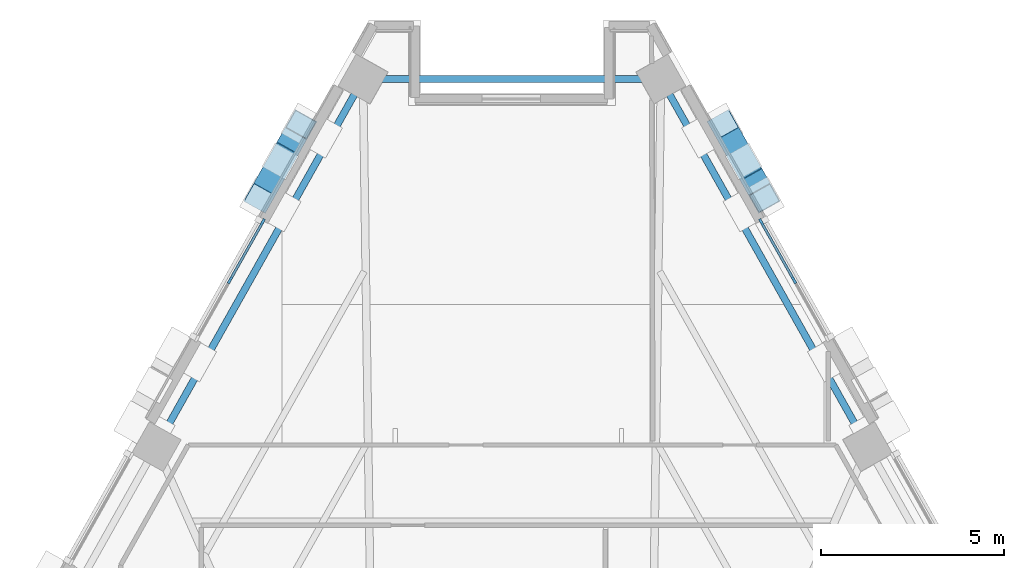
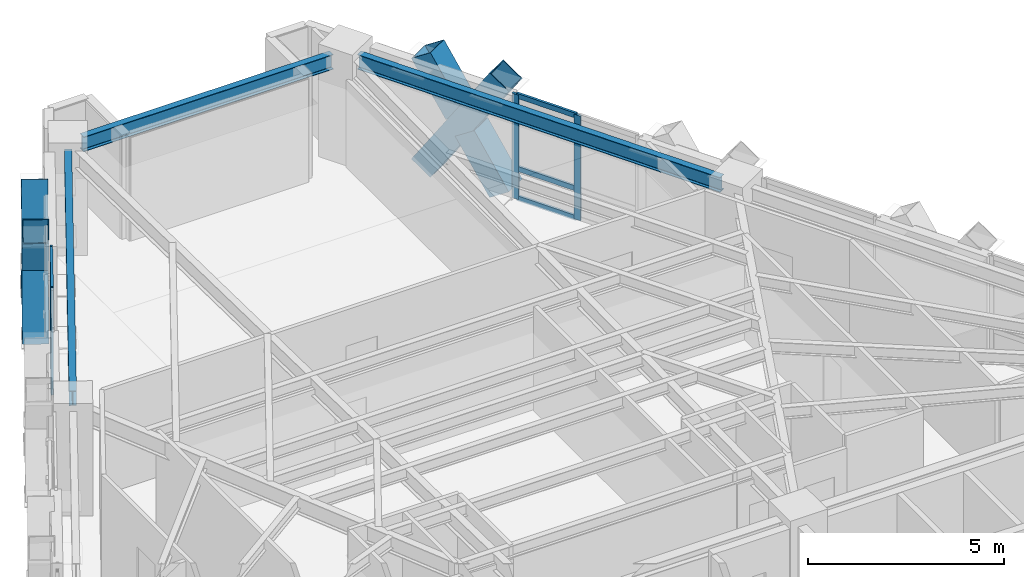
# One storey, part 5 of 14: 16 members, 3 beams, 2 elements without a shape of their own.
"""IFC4 building model written with IfcOpenShell, lengths in metres."""

from ifc_helpers import new_model, si_unit, direction, frame, origin, origin_2d, place, context, subcontext, project, spatial, rectangle, hollow_rectangle, i_section, extrude, material, material_profile, profile_set, type_object, element, aggregate, save


model = new_model("IFC4")

# Units and contexts
model_context = context("Model", 3, precision=1e-05, world=origin(), true_north=direction((0.0, 1.0)))
body_context = subcontext(model_context, "Body", "Model", "MODEL_VIEW")
ifc_project = project(units=[si_unit("LENGTHUNIT", "METRE"), si_unit("AREAUNIT", "SQUARE_METRE"), si_unit("VOLUMEUNIT", "CUBIC_METRE"), si_unit("PLANEANGLEUNIT", "RADIAN"), si_unit("MASSUNIT", "GRAM", prefix="KILO")], contexts=[model_context])

# Site, building, storey
site_placement = place(None, origin())
site = spatial("IfcSite", under=ifc_project, at=site_placement, CompositionType="ELEMENT")
building_placement = place(site_placement, origin())
building = spatial("IfcBuilding", under=site, at=building_placement, Name="Quenlor Broadcast Tower", CompositionType="ELEMENT")
storey_placement = place(building_placement, frame((0.0, 0.0, 154.5)))
storey = spatial("IfcBuildingStorey", under=building, at=storey_placement, Name="L42", CompositionType="ELEMENT", Elevation=154.5)

# Curtain wall, members
ifc_material_1 = material(Name="Architectural Terracotta and Low-E Glazing", Category="masonry")
curtain_wall_type = type_object("IfcCurtainWallType", Name="Unitised Terracotta Curtain Wall System Z3", PredefinedType="NOTDEFINED", material=ifc_material_1)
curtain_wall_1_placement = place(storey_placement, origin())
curtain_wall_1 = element("IfcCurtainWall", 1, at=curtain_wall_1_placement, inside=storey, type_object=curtain_wall_type, Name="L42 Curtain Wall CW3 (L42-NEA-G1)", PredefinedType="NOTDEFINED")
ifc_material_2 = material(Name="Aluminium 6063-T6", Category="aluminium")
ifc_material_profile_1 = material_profile(ifc_material_2, rectangle(XDim=0.070068359375, YDim=0.18994140625, at=origin_2d()))
ifc_profile_set_1 = profile_set([ifc_material_profile_1], Name="Aluminium 6063-T6 MULL70x190")
member_type_1 = type_object("IfcMemberType", Name="CW3 Aluminium Mullion MULL_CW3", PredefinedType="MULLION", material=ifc_profile_set_1)
member_1_placement = place(storey_placement, frame((6.8271484375, 14.90576171875, 0.0), z_axis=(0.0, 0.0, 1.0), x_axis=(0.871570530637, 0.490270139949, 0.0)))
member_1 = element("IfcMember", 2, at=member_1_placement, type_object=member_type_1, Name="CW3 mullion 1", PredefinedType="MULLION", context=body_context, shape_type="SweptSolid", body=[
    extrude(rectangle(XDim=0.070068359375, YDim=0.18994140625, at=origin_2d()), origin(), (0.0, 0.0, 1.0), 3.25),
])
member_2_placement = place(storey_placement, frame((7.725341796875, 13.30908203125, 0.0), z_axis=(0.0, 0.0, 1.0), x_axis=(0.871570530637, 0.490270139949, 0.0)))
member_2 = element("IfcMember", 3, at=member_2_placement, type_object=member_type_1, Name="CW3 mullion 2", PredefinedType="MULLION", context=body_context, shape_type="SweptSolid", body=[
    extrude(rectangle(XDim=0.070068359375, YDim=0.18994140625, at=origin_2d()), origin(), (0.0, 0.0, 1.0), 3.25),
])

curtain_wall_2_placement = place(storey_placement, origin())
curtain_wall_2 = element("IfcCurtainWall", 4, at=curtain_wall_2_placement, inside=storey, type_object=curtain_wall_type, Name="L42 Curtain Wall CW3 (L42-NWC-G1)", PredefinedType="NOTDEFINED")
member_3_placement = place(storey_placement, frame((-7.725341796875, 13.30908203125, 0.0), z_axis=(0.0, 0.0, 1.0), x_axis=(-0.871570530637, 0.490270139949, 0.0)))
member_3 = element("IfcMember", 5, at=member_3_placement, type_object=member_type_1, Name="CW3 mullion 2", PredefinedType="MULLION", context=body_context, shape_type="SweptSolid", body=[
    extrude(rectangle(XDim=0.070068359375, YDim=0.18994140625, at=origin_2d()), origin(), (0.0, 0.0, 1.0), 3.25),
])
member_4_placement = place(storey_placement, frame((-6.8271484375, 14.90576171875, 0.0), z_axis=(0.0, 0.0, 1.0), x_axis=(-0.871570530637, 0.490270139949, 0.0)))
member_4 = element("IfcMember", 6, at=member_4_placement, type_object=member_type_1, Name="CW3 mullion 3", PredefinedType="MULLION", context=body_context, shape_type="SweptSolid", body=[
    extrude(rectangle(XDim=0.070068359375, YDim=0.18994140625, at=origin_2d()), origin(), (0.0, 0.0, 1.0), 3.25),
])

# Member
ifc_material_3 = material(Name="Aluminium 6063-T6", Category="aluminium")
ifc_material_profile_2 = material_profile(ifc_material_3, rectangle(XDim=0.070068359375, YDim=0.155029296875, at=origin_2d()))
ifc_profile_set_2 = profile_set([ifc_material_profile_2], Name="Aluminium 6063-T6 TRAN70x155")
member_type_2 = type_object("IfcMemberType", Name="CW3 Aluminium Transom TRAN_CW3", PredefinedType="USERDEFINED", material=ifc_profile_set_2)
member_5_placement = place(storey_placement, frame((6.84423828125, 14.875244140625, 0.034912109375), z_axis=(0.490353334151, -0.871523727553, 0.0), x_axis=(0.871523727553, 0.490353334151, 0.0)))
member_5 = element("IfcMember", 7, at=member_5_placement, type_object=member_type_2, Name="CW3 transom 1.1", ObjectType="TRANSOM", PredefinedType="USERDEFINED", context=body_context, shape_type="SweptSolid", body=[
    extrude(rectangle(XDim=0.070068359375, YDim=0.155029296875, at=origin_2d()), origin(), (0.0, 0.0, 1.0), 1.761962890625),
])

member_6_placement = place(storey_placement, frame((6.84423828125, 14.875244140625, 0.949951171875), z_axis=(0.490353334151, -0.871523727553, 0.0), x_axis=(0.871523727553, 0.490353334151, 0.0)))
member_6 = element("IfcMember", 8, at=member_6_placement, type_object=member_type_2, Name="CW3 transom 1.2", ObjectType="TRANSOM", PredefinedType="USERDEFINED", context=body_context, shape_type="SweptSolid", body=[
    extrude(rectangle(XDim=0.070068359375, YDim=0.155029296875, at=origin_2d()), origin(), (0.0, 0.0, 1.0), 1.761962890625),
])

member_7_placement = place(storey_placement, frame((6.84423828125, 14.875244140625, 3.215087890625), z_axis=(0.490353334151, -0.871523727553, 0.0), x_axis=(0.871523727553, 0.490353334151, 0.0)))
member_7 = element("IfcMember", 9, at=member_7_placement, type_object=member_type_2, Name="CW3 transom 1.3", ObjectType="TRANSOM", PredefinedType="USERDEFINED", context=body_context, shape_type="SweptSolid", body=[
    extrude(rectangle(XDim=0.070068359375, YDim=0.155029296875, at=origin_2d()), origin(), (0.0, 0.0, 1.0), 1.761962890625),
])

aggregate(curtain_wall_1, [member_1, member_2, member_5, member_6, member_7])

member_8_placement = place(storey_placement, frame((-7.708251953125, 13.339599609375, 0.034912109375), z_axis=(0.490353334151, 0.871523727553, 0.0), x_axis=(-0.871523727553, 0.490353334151, 0.0)))
member_8 = element("IfcMember", 10, at=member_8_placement, type_object=member_type_2, Name="CW3 transom 2.1", ObjectType="TRANSOM", PredefinedType="USERDEFINED", context=body_context, shape_type="SweptSolid", body=[
    extrude(rectangle(XDim=0.070068359375, YDim=0.155029296875, at=origin_2d()), origin(), (0.0, 0.0, 1.0), 1.761962890625),
])

member_9_placement = place(storey_placement, frame((-7.708251953125, 13.339599609375, 0.949951171875), z_axis=(0.490353334151, 0.871523727553, 0.0), x_axis=(-0.871523727553, 0.490353334151, 0.0)))
member_9 = element("IfcMember", 11, at=member_9_placement, type_object=member_type_2, Name="CW3 transom 2.2", ObjectType="TRANSOM", PredefinedType="USERDEFINED", context=body_context, shape_type="SweptSolid", body=[
    extrude(rectangle(XDim=0.070068359375, YDim=0.155029296875, at=origin_2d()), origin(), (0.0, 0.0, 1.0), 1.761962890625),
])

member_10_placement = place(storey_placement, frame((-7.708251953125, 13.339599609375, 3.215087890625), z_axis=(0.490353334151, 0.871523727553, 0.0), x_axis=(-0.871523727553, 0.490353334151, 0.0)))
member_10 = element("IfcMember", 12, at=member_10_placement, type_object=member_type_2, Name="CW3 transom 2.3", ObjectType="TRANSOM", PredefinedType="USERDEFINED", context=body_context, shape_type="SweptSolid", body=[
    extrude(rectangle(XDim=0.070068359375, YDim=0.155029296875, at=origin_2d()), origin(), (0.0, 0.0, 1.0), 1.761962890625),
])

aggregate(curtain_wall_2, [member_3, member_4, member_8, member_9, member_10])

# Members
ifc_material_4 = material(Name="Steel S355", Category="steel")
ifc_material_profile_3 = material_profile(ifc_material_4, hollow_rectangle(XDim=0.679931640625, YDim=0.679931640625, WallThickness=0.02490234375, at=origin_2d()))
ifc_profile_set_3 = profile_set([ifc_material_profile_3], Name="Steel S355 RHS680x680x25")
member_type_3 = type_object("IfcMemberType", Name="Perimeter Diagonal Lattice Brace Z3-Z4 Steel S355 RHS680x25", PredefinedType="BRACE", material=ifc_profile_set_3)
member_11_placement = place(storey_placement, frame((5.77783203125, 17.5771484375, -0.1201171875), z_axis=(0.2705491942, -0.481008661973, 0.833926735766), x_axis=(0.871589611547, 0.490236217596, 0.0)))
element("IfcMember", 13, at=member_11_placement, inside=storey, type_object=member_type_3, Name="L42 Perimeter Diamond Lattice NE-C1XA", PredefinedType="BRACE", context=body_context, shape_type="SweptSolid", body=[
    extrude(hollow_rectangle(XDim=0.679931640625, YDim=0.679931640625, WallThickness=0.02490234375, at=origin_2d()), origin(), (0.0, 0.0, 1.0), 4.197021484375),
])
for number, where, z_axis, x_axis, name in (
    (14, (6.913330078125, 15.558349609375, -0.1201171875), (-0.270616433058, 0.481007832697, 0.833905396938), (-0.871537189362, -0.490329407194, 0.0), "L42 Perimeter Diamond Lattice NE-C1XB1"),
    (15, (6.278076171875, 16.68798828125, 1.83837890625), (-0.270616433058, 0.481007832697, 0.833905396938), (-0.871537189362, -0.490329407194, 0.0), "L42 Perimeter Diamond Lattice NE-C1XB2"),
):
    element("IfcMember", number, at=place(storey_placement, frame(where, z_axis=z_axis, x_axis=x_axis)), inside=storey, type_object=member_type_3, Name=name, PredefinedType="BRACE", context=body_context, shape_type="SweptSolid", body=[
        extrude(hollow_rectangle(XDim=0.679931640625, YDim=0.679931640625, WallThickness=0.02490234375, at=origin_2d()), origin(), (0.0, 0.0, 1.0), 1.8486328125),
    ])
member_12_placement = place(storey_placement, frame((-6.913330078125, 15.558349609375, -0.1201171875), z_axis=(0.2705491942, 0.481008661973, 0.833926735766), x_axis=(-0.871589611547, 0.490236217596, 0.0)))
element("IfcMember", 16, at=member_12_placement, inside=storey, type_object=member_type_3, Name="L42 Perimeter Diamond Lattice NW-C5XA", PredefinedType="BRACE", context=body_context, shape_type="SweptSolid", body=[
    extrude(hollow_rectangle(XDim=0.679931640625, YDim=0.679931640625, WallThickness=0.02490234375, at=origin_2d()), origin(), (0.0, 0.0, 1.0), 4.197021484375),
])
for number, where, z_axis, x_axis, name in (
    (17, (-5.77783203125, 17.5771484375, -0.1201171875), (-0.270616433058, -0.481007832697, 0.833905396938), (0.871537189362, -0.490329407194, 0.0), "L42 Perimeter Diamond Lattice NW-C5XB1"),
    (18, (-6.4130859375, 16.447509765625, 1.83837890625), (-0.270616433058, -0.481007832697, 0.833905396938), (0.871537189362, -0.490329407194, 0.0), "L42 Perimeter Diamond Lattice NW-C5XB2"),
):
    element("IfcMember", number, at=place(storey_placement, frame(where, z_axis=z_axis, x_axis=x_axis)), inside=storey, type_object=member_type_3, Name=name, PredefinedType="BRACE", context=body_context, shape_type="SweptSolid", body=[
        extrude(hollow_rectangle(XDim=0.679931640625, YDim=0.679931640625, WallThickness=0.02490234375, at=origin_2d()), origin(), (0.0, 0.0, 1.0), 1.8486328125),
    ])

# Beams
ifc_material_5 = material(Name="Steel S355", Category="steel")
ifc_material_profile_4 = material_profile(ifc_material_5, i_section(OverallWidth=0.19091796875, OverallDepth=0.46044921875, WebThickness=0.010009765625, FlangeThickness=0.01611328125, FilletRadius=0.011474609375, at=origin_2d()))
ifc_profile_set_4 = profile_set([ifc_material_profile_4], Name="Steel S355 460UB82.1")
beam_type = type_object("IfcBeamType", Name="Perimeter Spandrel Beam Z3 Steel S355 460UB82.1", PredefinedType="SPANDREL", material=ifc_profile_set_4)
beam_1_placement = place(storey_placement, frame((9.5419921875, 9.110595703125, 3.019775390625), z_axis=(-0.490257999604, 0.871577359633, 0.0), x_axis=(-0.871577359633, -0.490257999604, 0.0)))
element("IfcBeam", 19, at=beam_1_placement, inside=storey, type_object=beam_type, Name="L42 Spandrel Beam NE3-NE4", PredefinedType="SPANDREL", context=body_context, shape_type="SweptSolid", body=[
    extrude(i_section(OverallWidth=0.19091796875, OverallDepth=0.46044921875, WebThickness=0.010009765625, FlangeThickness=0.01611328125, FilletRadius=0.011474609375, at=origin_2d()), origin(), (0.0, 0.0, 1.0), 10.732666015625),
])
beam_2_placement = place(storey_placement, frame((3.669189453125, 18.822021484375, 3.019775390625), z_axis=(-1.0, 0.0, 0.0), x_axis=(0.0, -1.0, 0.0)))
element("IfcBeam", 20, at=beam_2_placement, inside=storey, type_object=beam_type, Name="L42 Spandrel Beam NE4-NW1", PredefinedType="SPANDREL", context=body_context, shape_type="SweptSolid", body=[
    extrude(i_section(OverallWidth=0.19091796875, OverallDepth=0.46044921875, WebThickness=0.010009765625, FlangeThickness=0.01611328125, FilletRadius=0.011474609375, at=origin_2d()), origin(), (0.0, 0.0, 1.0), 7.33837890625),
])
beam_3_placement = place(storey_placement, frame((-4.2802734375, 18.46484375, 3.019775390625), z_axis=(-0.490257999604, -0.871577359633, 0.0), x_axis=(0.871577359633, -0.490257999604, 0.0)))
element("IfcBeam", 21, at=beam_3_placement, inside=storey, type_object=beam_type, Name="L42 Spandrel Beam NW1-NW2", PredefinedType="SPANDREL", context=body_context, shape_type="SweptSolid", body=[
    extrude(i_section(OverallWidth=0.19091796875, OverallDepth=0.46044921875, WebThickness=0.010009765625, FlangeThickness=0.01611328125, FilletRadius=0.011474609375, at=origin_2d()), origin(), (0.0, 0.0, 1.0), 10.732666015625),
])

save(model, "model.ifc")
